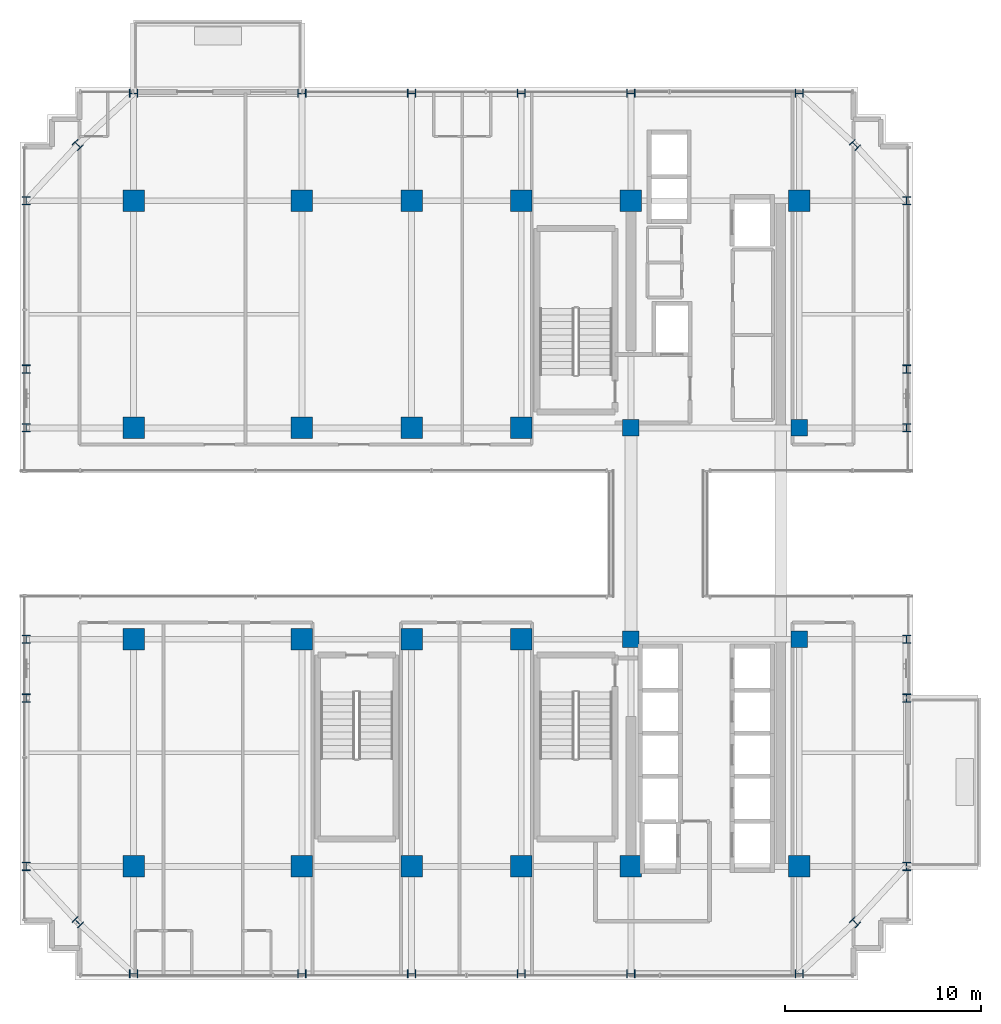
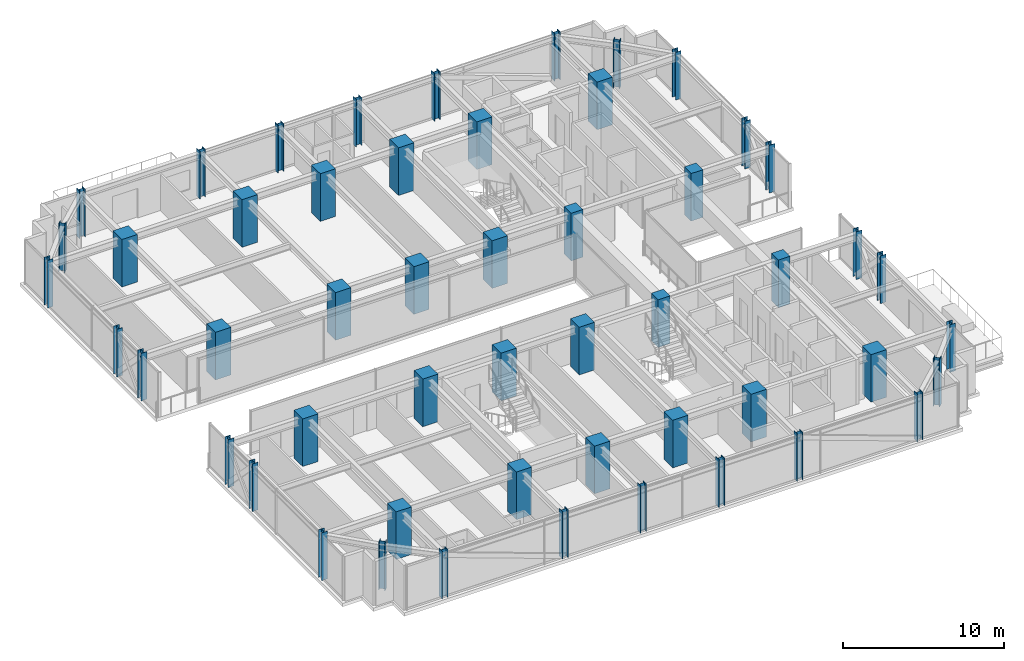
# One storey, part 1 of 36: 52 columns.
"""IFC4 building model written with IfcOpenShell, lengths in metres."""

from ifc_helpers import new_model, si_unit, direction, frame, origin, origin_2d, place, context, subcontext, project, spatial, rectangle, i_section, extrude, source, transform, mapped, material, material_profile, profile_set, type_object, element, save


model = new_model("IFC4")

# Units and contexts
model_context = context("Model", 3, precision=1e-05, world=origin(), true_north=direction((0.0, 1.0)))
body_context = subcontext(model_context, "Body", "Model", "MODEL_VIEW")
ifc_project = project(units=[si_unit("LENGTHUNIT", "METRE"), si_unit("AREAUNIT", "SQUARE_METRE"), si_unit("VOLUMEUNIT", "CUBIC_METRE"), si_unit("PLANEANGLEUNIT", "RADIAN"), si_unit("MASSUNIT", "GRAM", prefix="KILO")], contexts=[model_context])

# Site, building, storey
site_placement = place(None, origin())
site = spatial("IfcSite", under=ifc_project, at=site_placement, CompositionType="ELEMENT")
building_placement = place(site_placement, origin())
building = spatial("IfcBuilding", under=site, at=building_placement, Name="Nahalor Promenade Grand Hotel", CompositionType="ELEMENT")
storey_placement = place(building_placement, frame((0.0, 0.0, 174.550048828125)))
storey = spatial("IfcBuildingStorey", under=building, at=storey_placement, Name="L44", CompositionType="ELEMENT", Elevation=174.550048828125)

# Columns
ifc_material_1 = material(Name="Concrete B-70 (C60/75)", Category="concrete")
ifc_material_profile_1 = material_profile(ifc_material_1, rectangle(XDim=0.85, YDim=0.85, at=origin_2d()), Name="RC 850x850")
ifc_profile_set_1 = profile_set([ifc_material_profile_1], Name="Concrete B-70 (C60/75)")
column_type_1 = type_object("IfcColumnType", Name="Col-Pilaster-850", PredefinedType="PILASTER", material=ifc_profile_set_1)
shared_shape_1 = source(origin(), body_context, "Body", "SweptSolid", [
    extrude(rectangle(XDim=0.85, YDim=0.85, at=origin_2d()), origin(), (0.0, 0.0, 1.0), 3.60498046875),
])
for number, where, z_axis, x_axis, name in (
    (1, (8.39990234375, -5.39990234375, 0.0), (0.0, 0.0, 1.0), (1.0, 0.0, 0.0), "COL-L44-I41"),
    (2, (8.39990234375, 5.39990234375, 0.0), (0.0, 0.0, 1.0), (1.0, 0.0, 0.0), "COL-L44-I42"),
    (3, (17.0, -5.39990234375, 0.0), (0.0, 0.0, 1.0), (1.0, 0.0, 0.0), "COL-L44-I51"),
    (4, (17.0, 5.39990234375, 0.0), (0.0, 0.0, 1.0), (1.0, 0.0, 0.0), "COL-L44-I52"),
):
    element("IfcColumn", number, at=place(storey_placement, frame(where, z_axis=z_axis, x_axis=x_axis)), inside=storey, type_object=column_type_1, Name=name, PredefinedType="PILASTER", context=body_context, shape_type="MappedRepresentation", body=[
        mapped(shared_shape_1, transform((0.0, 0.0, 0.0), scale=1.0)),
    ])
ifc_material_2 = material(Name="Concrete B-60 (C50/60)", Category="concrete")
ifc_material_profile_2 = material_profile(ifc_material_2, rectangle(XDim=1.1, YDim=1.1, at=origin_2d()), Name="RC 1100x1100")
ifc_profile_set_2 = profile_set([ifc_material_profile_2], Name="Concrete B-60 (C50/60)")
column_type_2 = type_object("IfcColumnType", Name="Col-RC-1100", PredefinedType="COLUMN", material=ifc_profile_set_2)
shared_shape_2 = source(origin(), body_context, "Body", "SweptSolid", [
    extrude(rectangle(XDim=1.1, YDim=1.1, at=origin_2d()), origin(), (0.0, 0.0, 1.0), 3.60498046875),
])
for number, where, z_axis, x_axis, name in (
    (5, (-17.0, -17.0, 0.0), (0.0, 0.0, 1.0), (1.0, 0.0, 0.0), "COL-L44-I00"),
    (6, (-17.0, -5.39990234375, 0.0), (0.0, 0.0, 1.0), (1.0, 0.0, 0.0), "COL-L44-I01"),
    (7, (-17.0, 5.39990234375, 0.0), (0.0, 0.0, 1.0), (1.0, 0.0, 0.0), "COL-L44-I02"),
    (8, (-17.0, 17.0, 0.0), (0.0, 0.0, 1.0), (1.0, 0.0, 0.0), "COL-L44-I03"),
    (9, (-8.39990234375, -17.0, 0.0), (0.0, 0.0, 1.0), (1.0, 0.0, 0.0), "COL-L44-I10"),
    (10, (-8.39990234375, -5.39990234375, 0.0), (0.0, 0.0, 1.0), (1.0, 0.0, 0.0), "COL-L44-I11"),
    (11, (-8.39990234375, 5.39990234375, 0.0), (0.0, 0.0, 1.0), (1.0, 0.0, 0.0), "COL-L44-I12"),
    (12, (-8.39990234375, 17.0, 0.0), (0.0, 0.0, 1.0), (1.0, 0.0, 0.0), "COL-L44-I13"),
    (13, (-2.800048828125, -17.0, 0.0), (0.0, 0.0, 1.0), (1.0, 0.0, 0.0), "COL-L44-I20"),
    (14, (-2.800048828125, -5.39990234375, 0.0), (0.0, 0.0, 1.0), (1.0, 0.0, 0.0), "COL-L44-I21"),
    (15, (-2.800048828125, 5.39990234375, 0.0), (0.0, 0.0, 1.0), (1.0, 0.0, 0.0), "COL-L44-I22"),
    (16, (-2.800048828125, 17.0, 0.0), (0.0, 0.0, 1.0), (1.0, 0.0, 0.0), "COL-L44-I23"),
    (17, (2.800048828125, -17.0, 0.0), (0.0, 0.0, 1.0), (1.0, 0.0, 0.0), "COL-L44-I30"),
    (18, (2.800048828125, -5.39990234375, 0.0), (0.0, 0.0, 1.0), (1.0, 0.0, 0.0), "COL-L44-I31"),
    (19, (2.800048828125, 5.39990234375, 0.0), (0.0, 0.0, 1.0), (1.0, 0.0, 0.0), "COL-L44-I32"),
    (20, (2.800048828125, 17.0, 0.0), (0.0, 0.0, 1.0), (1.0, 0.0, 0.0), "COL-L44-I33"),
    (21, (8.39990234375, -17.0, 0.0), (0.0, 0.0, 1.0), (1.0, 0.0, 0.0), "COL-L44-I40"),
    (22, (8.39990234375, 17.0, 0.0), (0.0, 0.0, 1.0), (1.0, 0.0, 0.0), "COL-L44-I43"),
    (23, (17.0, -17.0, 0.0), (0.0, 0.0, 1.0), (1.0, 0.0, 0.0), "COL-L44-I50"),
    (24, (17.0, 17.0, 0.0), (0.0, 0.0, 1.0), (1.0, 0.0, 0.0), "COL-L44-I53"),
):
    element("IfcColumn", number, at=place(storey_placement, frame(where, z_axis=z_axis, x_axis=x_axis)), inside=storey, type_object=column_type_2, Name=name, PredefinedType="COLUMN", context=body_context, shape_type="MappedRepresentation", body=[
        mapped(shared_shape_2, transform((0.0, 0.0, 0.0), scale=1.0)),
    ])
ifc_material_3 = material(Name="Steel S355J2", Category="steel")
ifc_material_profile_3 = material_profile(ifc_material_3, i_section(OverallWidth=0.406, OverallDepth=0.422, WebThickness=0.019, FlangeThickness=0.0305, at=origin_2d()), Name="HD 400x382")
ifc_profile_set_3 = profile_set([ifc_material_profile_3], Name="Steel S355J2")
column_type_3 = type_object("IfcColumnType", Name="Col-Steel-HD382", PredefinedType="COLUMN", material=ifc_profile_set_3)
shared_shape_3 = source(origin(), body_context, "Body", "SweptSolid", [
    extrude(i_section(OverallWidth=0.406, OverallDepth=0.422, WebThickness=0.019, FlangeThickness=0.0305, at=origin_2d()), origin(), (0.0, 0.0, 1.0), 3.60498046875),
])
for number, where, z_axis, x_axis, name in (
    (25, (-22.47998046875, -17.0, 0.0), (0.0, 0.0, 1.0), (1.0, 0.0, 0.0), "COL-L44-PW-W0"),
    (26, (22.47998046875, -17.0, 0.0), (0.0, 0.0, 1.0), (1.0, 0.0, 0.0), "COL-L44-PW-E0"),
    (27, (-22.47998046875, -8.39990234375, 0.0), (0.0, 0.0, 1.0), (1.0, 0.0, 0.0), "COL-L44-PW-W1"),
    (28, (22.47998046875, -8.39990234375, 0.0), (0.0, 0.0, 1.0), (1.0, 0.0, 0.0), "COL-L44-PW-E1"),
    (29, (-22.47998046875, -5.39990234375, 0.0), (0.0, 0.0, 1.0), (1.0, 0.0, 0.0), "COL-L44-PW-W2"),
    (30, (22.47998046875, -5.39990234375, 0.0), (0.0, 0.0, 1.0), (1.0, 0.0, 0.0), "COL-L44-PW-E2"),
    (31, (-22.47998046875, 5.39990234375, 0.0), (0.0, 0.0, 1.0), (1.0, 0.0, 0.0), "COL-L44-PW-W3"),
    (32, (22.47998046875, 5.39990234375, 0.0), (0.0, 0.0, 1.0), (1.0, 0.0, 0.0), "COL-L44-PW-E3"),
    (33, (-22.47998046875, 8.39990234375, 0.0), (0.0, 0.0, 1.0), (1.0, 0.0, 0.0), "COL-L44-PW-W4"),
    (34, (22.47998046875, 8.39990234375, 0.0), (0.0, 0.0, 1.0), (1.0, 0.0, 0.0), "COL-L44-PW-E4"),
    (35, (-22.47998046875, 17.0, 0.0), (0.0, 0.0, 1.0), (1.0, 0.0, 0.0), "COL-L44-PW-W5"),
    (36, (22.47998046875, 17.0, 0.0), (0.0, 0.0, 1.0), (1.0, 0.0, 0.0), "COL-L44-PW-E5"),
    (37, (-17.0, -22.47998046875, 0.0), (0.0, 0.0, 1.0), (0.0, 1.0, 0.0), "COL-L44-PN-S0"),
    (38, (-17.0, 22.47998046875, 0.0), (0.0, 0.0, 1.0), (0.0, 1.0, 0.0), "COL-L44-PN-N0"),
    (39, (-8.39990234375, -22.47998046875, 0.0), (0.0, 0.0, 1.0), (0.0, 1.0, 0.0), "COL-L44-PN-S1"),
    (40, (-8.39990234375, 22.47998046875, 0.0), (0.0, 0.0, 1.0), (0.0, 1.0, 0.0), "COL-L44-PN-N1"),
    (41, (-2.800048828125, -22.47998046875, 0.0), (0.0, 0.0, 1.0), (0.0, 1.0, 0.0), "COL-L44-PN-S2"),
    (42, (-2.800048828125, 22.47998046875, 0.0), (0.0, 0.0, 1.0), (0.0, 1.0, 0.0), "COL-L44-PN-N2"),
    (43, (2.800048828125, -22.47998046875, 0.0), (0.0, 0.0, 1.0), (0.0, 1.0, 0.0), "COL-L44-PN-S3"),
    (44, (2.800048828125, 22.47998046875, 0.0), (0.0, 0.0, 1.0), (0.0, 1.0, 0.0), "COL-L44-PN-N3"),
    (45, (8.39990234375, -22.47998046875, 0.0), (0.0, 0.0, 1.0), (0.0, 1.0, 0.0), "COL-L44-PN-S4"),
    (46, (8.39990234375, 22.47998046875, 0.0), (0.0, 0.0, 1.0), (0.0, 1.0, 0.0), "COL-L44-PN-N4"),
    (47, (17.0, -22.47998046875, 0.0), (0.0, 0.0, 1.0), (0.0, 1.0, 0.0), "COL-L44-PN-S5"),
    (48, (17.0, 22.47998046875, 0.0), (0.0, 0.0, 1.0), (0.0, 1.0, 0.0), "COL-L44-PN-N5"),
    (49, (-19.85009765625, -19.85009765625, 0.0), (0.0, 0.0, 1.0), (0.707106781187, 0.707106781187, 0.0), "COL-L44-CRN-SW"),
    (50, (-19.85009765625, 19.85009765625, 0.0), (0.0, 0.0, 1.0), (0.707106781187, 0.707106781187, 0.0), "COL-L44-CRN-NW"),
    (51, (19.85009765625, -19.85009765625, 0.0), (0.0, 0.0, 1.0), (0.707106781187, 0.707106781187, 0.0), "COL-L44-CRN-SE"),
    (52, (19.85009765625, 19.85009765625, 0.0), (0.0, 0.0, 1.0), (0.707106781187, 0.707106781187, 0.0), "COL-L44-CRN-NE"),
):
    element("IfcColumn", number, at=place(storey_placement, frame(where, z_axis=z_axis, x_axis=x_axis)), inside=storey, type_object=column_type_3, Name=name, PredefinedType="COLUMN", context=body_context, shape_type="MappedRepresentation", body=[
        mapped(shared_shape_3, transform((0.0, 0.0, 0.0), scale=1.0)),
    ])

save(model, "model.ifc")
